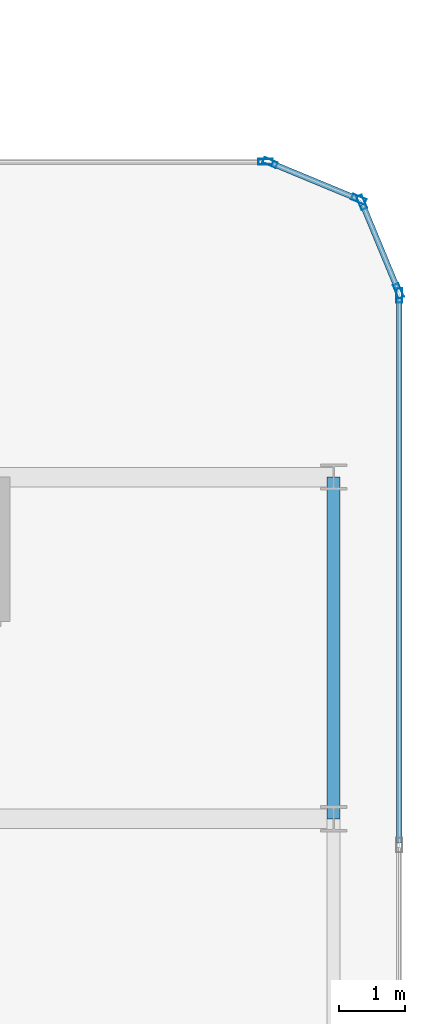
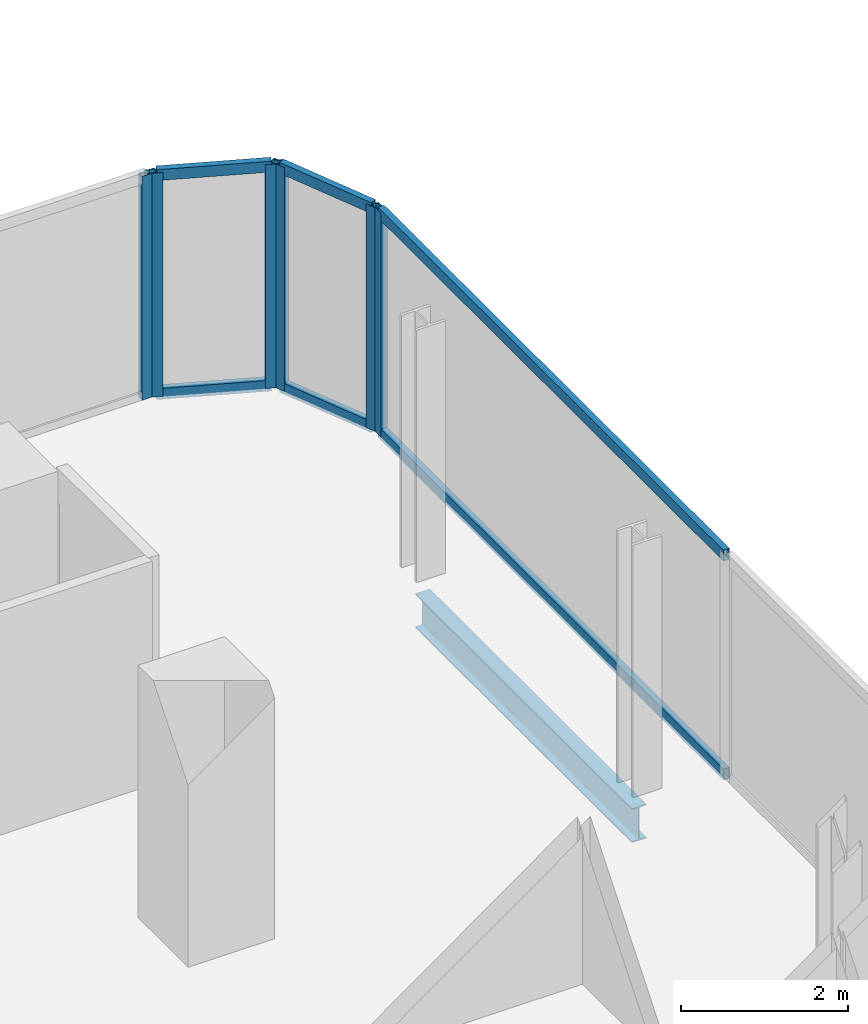
# One storey, part 19 of 33: 12 members, 1 beam, 4 elements without a shape of their own.
"""IFC4 building model written with IfcOpenShell, lengths in metres."""

from ifc_helpers import new_model, si_unit, direction, frame, origin, origin_2d, place, context, subcontext, project, spatial, hollow_rectangle, i_section, extrude, material, layer, layer_set, material_profile, profile_set, type_object, element, aggregate, save


model = new_model("IFC4")

# Units and contexts
model_context = context("Model", 3, precision=1e-05, world=origin(), true_north=direction((0.0, 1.0)))
body_context = subcontext(model_context, "Body", "Model", "MODEL_VIEW")
ifc_project = project(units=[si_unit("LENGTHUNIT", "METRE"), si_unit("AREAUNIT", "SQUARE_METRE"), si_unit("VOLUMEUNIT", "CUBIC_METRE"), si_unit("PLANEANGLEUNIT", "RADIAN"), si_unit("MASSUNIT", "GRAM", prefix="KILO")], contexts=[model_context])

# Site, building, storey
site_placement = place(None, origin())
site = spatial("IfcSite", under=ifc_project, at=site_placement, CompositionType="ELEMENT")
building_placement = place(site_placement, origin())
building = spatial("IfcBuilding", under=site, at=building_placement, Name="Keshet Zoharim Tower", CompositionType="ELEMENT")
storey_placement = place(building_placement, frame((0.0, 0.0, 57.300048828125)))
storey = spatial("IfcBuildingStorey", under=building, at=storey_placement, Name="L13", CompositionType="ELEMENT", Elevation=57.300048828125)

# Beam
ifc_material_1 = material(Name="Steel S355", Category="steel")
ifc_material_profile_1 = material_profile(ifc_material_1, i_section(OverallWidth=0.199951171875, OverallDepth=0.5, WebThickness=0.01025390625, FlangeThickness=0.01611328125, FilletRadius=0.02099609375, at=origin_2d()), Name="IPE500")
ifc_profile_set_1 = profile_set([ifc_material_profile_1], Name="Steel S355")
beam_type = type_object("IfcBeamType", Name="BM-PRI-IP500", PredefinedType="BEAM", material=ifc_profile_set_1)
beam_placement = place(storey_placement, frame((69.0, 22.699951171875, -0.56494140625), z_axis=(0.0, 1.0, 0.0), x_axis=(-1.0, 0.0, 0.0)))
element("IfcBeam", 1, at=beam_placement, inside=storey, type_object=beam_type, Name="L13 Primary Girder Y-025", PredefinedType="BEAM", context=body_context, shape_type="SweptSolid", body=[
    extrude(i_section(OverallWidth=0.199951171875, OverallDepth=0.5, WebThickness=0.01025390625, FlangeThickness=0.01611328125, FilletRadius=0.02099609375, at=origin_2d()), origin(), (0.0, 0.0, 1.0), 5.199951171875),
])

# Curtain wall, member
ifc_material_2 = material(Name="Aluminium 6063-T6", Category="aluminium")
ifc_layer = layer(ifc_material_2, 0.169921875)
ifc_layer_set = layer_set([ifc_layer], Name="Aluminium 6063-T6")
curtain_wall_type = type_object("IfcCurtainWallType", Name="CW-SYS-02", PredefinedType="NOTDEFINED", material=ifc_layer_set)
curtain_wall_1_placement = place(storey_placement, origin())
curtain_wall_1 = element("IfcCurtainWall", 2, at=curtain_wall_1_placement, inside=storey, type_object=curtain_wall_type, Name="L13 Unitised Curtain Wall 13", PredefinedType="NOTDEFINED")
ifc_material_profile_2 = material_profile(ifc_material_2, hollow_rectangle(XDim=0.090087890625, YDim=0.219970703125, WallThickness=0.0048828125, at=origin_2d()), Name="MUL-90x220")
ifc_profile_set_2 = profile_set([ifc_material_profile_2], Name="Aluminium 6063-T6")
member_type_1 = type_object("IfcMemberType", Name="CWM-M22", PredefinedType="MULLION", material=ifc_profile_set_2)
member_1_placement = place(storey_placement, frame((67.965087890625, 32.699951171875, 0.0), z_axis=(0.0, 0.0, 1.0), x_axis=(0.0, 1.0, 0.0)))
member_1 = element("IfcMember", 3, at=member_1_placement, type_object=member_type_1, Name="CW-02 mullion 2", PredefinedType="MULLION", context=body_context, shape_type="SweptSolid", body=[
    extrude(hollow_rectangle(XDim=0.090087890625, YDim=0.219970703125, WallThickness=0.0048828125, at=origin_2d()), origin(), (0.0, 0.0, 1.0), 3.280029296875),
])
aggregate(curtain_wall_1, [member_1])

# Curtain wall, members
curtain_wall_2_placement = place(storey_placement, origin())
curtain_wall_2 = element("IfcCurtainWall", 4, at=curtain_wall_2_placement, inside=storey, type_object=curtain_wall_type, Name="L13 Unitised Curtain Wall 14", PredefinedType="NOTDEFINED")
member_2_placement = place(storey_placement, frame((68.0322265625, 32.6865234375, 0.0), z_axis=(0.0, 0.0, 1.0), x_axis=(0.382851849847, 0.92380975372, 0.0)))
member_2 = element("IfcMember", 5, at=member_2_placement, type_object=member_type_1, Name="CW-02 mullion 1", PredefinedType="MULLION", context=body_context, shape_type="SweptSolid", body=[
    extrude(hollow_rectangle(XDim=0.090087890625, YDim=0.219970703125, WallThickness=0.0048828125, at=origin_2d()), origin(), (0.0, 0.0, 1.0), 3.280029296875),
])
member_3_placement = place(storey_placement, frame((69.381591796875, 32.12744140625, 0.0), z_axis=(0.0, 0.0, 1.0), x_axis=(0.382851849847, 0.92380975372, 0.0)))
member_3 = element("IfcMember", 6, at=member_3_placement, type_object=member_type_1, Name="CW-02 mullion 2", PredefinedType="MULLION", context=body_context, shape_type="SweptSolid", body=[
    extrude(hollow_rectangle(XDim=0.090087890625, YDim=0.219970703125, WallThickness=0.0048828125, at=origin_2d()), origin(), (0.0, 0.0, 1.0), 3.280029296875),
])

curtain_wall_3_placement = place(storey_placement, origin())
curtain_wall_3 = element("IfcCurtainWall", 7, at=curtain_wall_3_placement, inside=storey, type_object=curtain_wall_type, Name="L13 Unitised Curtain Wall 15", PredefinedType="NOTDEFINED")
member_4_placement = place(storey_placement, frame((69.427490234375, 32.081787109375, 0.0), z_axis=(0.0, 0.0, 1.0), x_axis=(0.92380975372, 0.382851849847, 0.0)))
member_4 = element("IfcMember", 8, at=member_4_placement, type_object=member_type_1, Name="CW-02 mullion 1", PredefinedType="MULLION", context=body_context, shape_type="SweptSolid", body=[
    extrude(hollow_rectangle(XDim=0.090087890625, YDim=0.219970703125, WallThickness=0.0048828125, at=origin_2d()), origin(), (0.0, 0.0, 1.0), 3.280029296875),
])
member_5_placement = place(storey_placement, frame((69.986572265625, 30.732421875, 0.0), z_axis=(0.0, 0.0, 1.0), x_axis=(0.92380975372, 0.382851849847, 0.0)))
member_5 = element("IfcMember", 9, at=member_5_placement, type_object=member_type_1, Name="CW-02 mullion 2", PredefinedType="MULLION", context=body_context, shape_type="SweptSolid", body=[
    extrude(hollow_rectangle(XDim=0.090087890625, YDim=0.219970703125, WallThickness=0.0048828125, at=origin_2d()), origin(), (0.0, 0.0, 1.0), 3.280029296875),
])

# Curtain wall, member
curtain_wall_4_placement = place(storey_placement, origin())
curtain_wall_4 = element("IfcCurtainWall", 10, at=curtain_wall_4_placement, inside=storey, type_object=curtain_wall_type, Name="L13 Unitised Curtain Wall 16", PredefinedType="NOTDEFINED")
member_6_placement = place(storey_placement, frame((70.0, 30.6650390625, 0.0), z_axis=(0.0, 0.0, 1.0), x_axis=(1.0, 0.0, 0.0)))
member_6 = element("IfcMember", 11, at=member_6_placement, type_object=member_type_1, Name="CW-02 mullion 1", PredefinedType="MULLION", context=body_context, shape_type="SweptSolid", body=[
    extrude(hollow_rectangle(XDim=0.090087890625, YDim=0.219970703125, WallThickness=0.0048828125, at=origin_2d()), origin(), (0.0, 0.0, 1.0), 3.280029296875),
])

# Member
ifc_material_profile_3 = material_profile(ifc_material_2, hollow_rectangle(XDim=0.0849609375, YDim=0.159912109375, WallThickness=0.00439453125, at=origin_2d()), Name="TRN-85x160")
ifc_profile_set_3 = profile_set([ifc_material_profile_3], Name="Aluminium 6063-T6")
member_type_2 = type_object("IfcMemberType", Name="CWT-T16", PredefinedType="USERDEFINED", material=ifc_profile_set_3)
member_7_placement = place(storey_placement, frame((68.064697265625, 32.673095703125, 0.034912109375), z_axis=(0.923854189844, -0.382744609247, 0.0), x_axis=(0.382744609247, 0.923854189844, 0.0)))
member_7 = element("IfcMember", 12, at=member_7_placement, type_object=member_type_2, Name="CW-02 transom 1.1", ObjectType="TRANSOM", PredefinedType="USERDEFINED", context=body_context, shape_type="SweptSolid", body=[
    extrude(hollow_rectangle(XDim=0.0849609375, YDim=0.159912109375, WallThickness=0.00439453125, at=origin_2d()), origin(), (0.0, 0.0, 1.0), 1.390625),
])

member_8_placement = place(storey_placement, frame((68.064697265625, 32.673095703125, 3.244873046875), z_axis=(0.923854189844, -0.382744609247, 0.0), x_axis=(0.382744609247, 0.923854189844, 0.0)))
member_8 = element("IfcMember", 13, at=member_8_placement, type_object=member_type_2, Name="CW-02 transom 1.2", ObjectType="TRANSOM", PredefinedType="USERDEFINED", context=body_context, shape_type="SweptSolid", body=[
    extrude(hollow_rectangle(XDim=0.0849609375, YDim=0.159912109375, WallThickness=0.00439453125, at=origin_2d()), origin(), (0.0, 0.0, 1.0), 1.390625),
])

aggregate(curtain_wall_2, [member_2, member_3, member_7, member_8])

member_9_placement = place(storey_placement, frame((69.44091796875, 32.04931640625, 0.034912109375), z_axis=(0.382744609247, -0.923854189844, 0.0), x_axis=(0.923854189844, 0.382744609247, 0.0)))
member_9 = element("IfcMember", 14, at=member_9_placement, type_object=member_type_2, Name="CW-02 transom 1.1", ObjectType="TRANSOM", PredefinedType="USERDEFINED", context=body_context, shape_type="SweptSolid", body=[
    extrude(hollow_rectangle(XDim=0.0849609375, YDim=0.159912109375, WallThickness=0.00439453125, at=origin_2d()), origin(), (0.0, 0.0, 1.0), 1.390625),
])

member_10_placement = place(storey_placement, frame((69.44091796875, 32.04931640625, 3.244873046875), z_axis=(0.382744609247, -0.923854189844, 0.0), x_axis=(0.923854189844, 0.382744609247, 0.0)))
member_10 = element("IfcMember", 15, at=member_10_placement, type_object=member_type_2, Name="CW-02 transom 1.2", ObjectType="TRANSOM", PredefinedType="USERDEFINED", context=body_context, shape_type="SweptSolid", body=[
    extrude(hollow_rectangle(XDim=0.0849609375, YDim=0.159912109375, WallThickness=0.00439453125, at=origin_2d()), origin(), (0.0, 0.0, 1.0), 1.390625),
])

aggregate(curtain_wall_3, [member_4, member_5, member_9, member_10])

member_11_placement = place(storey_placement, frame((70.0, 30.6298828125, 0.034912109375), z_axis=(0.0, -1.0, 0.0), x_axis=(1.0, 0.0, 0.0)))
member_11 = element("IfcMember", 16, at=member_11_placement, type_object=member_type_2, Name="CW-02 transom 1.1", ObjectType="TRANSOM", PredefinedType="USERDEFINED", context=body_context, shape_type="SweptSolid", body=[
    extrude(hollow_rectangle(XDim=0.0849609375, YDim=0.159912109375, WallThickness=0.00439453125, at=origin_2d()), origin(), (0.0, 0.0, 1.0), 8.29638671875),
])

member_12_placement = place(storey_placement, frame((70.0, 30.6298828125, 3.244873046875), z_axis=(0.0, -1.0, 0.0), x_axis=(1.0, 0.0, 0.0)))
member_12 = element("IfcMember", 17, at=member_12_placement, type_object=member_type_2, Name="CW-02 transom 1.2", ObjectType="TRANSOM", PredefinedType="USERDEFINED", context=body_context, shape_type="SweptSolid", body=[
    extrude(hollow_rectangle(XDim=0.0849609375, YDim=0.159912109375, WallThickness=0.00439453125, at=origin_2d()), origin(), (0.0, 0.0, 1.0), 8.29638671875),
])

aggregate(curtain_wall_4, [member_6, member_11, member_12])

save(model, "model.ifc")
